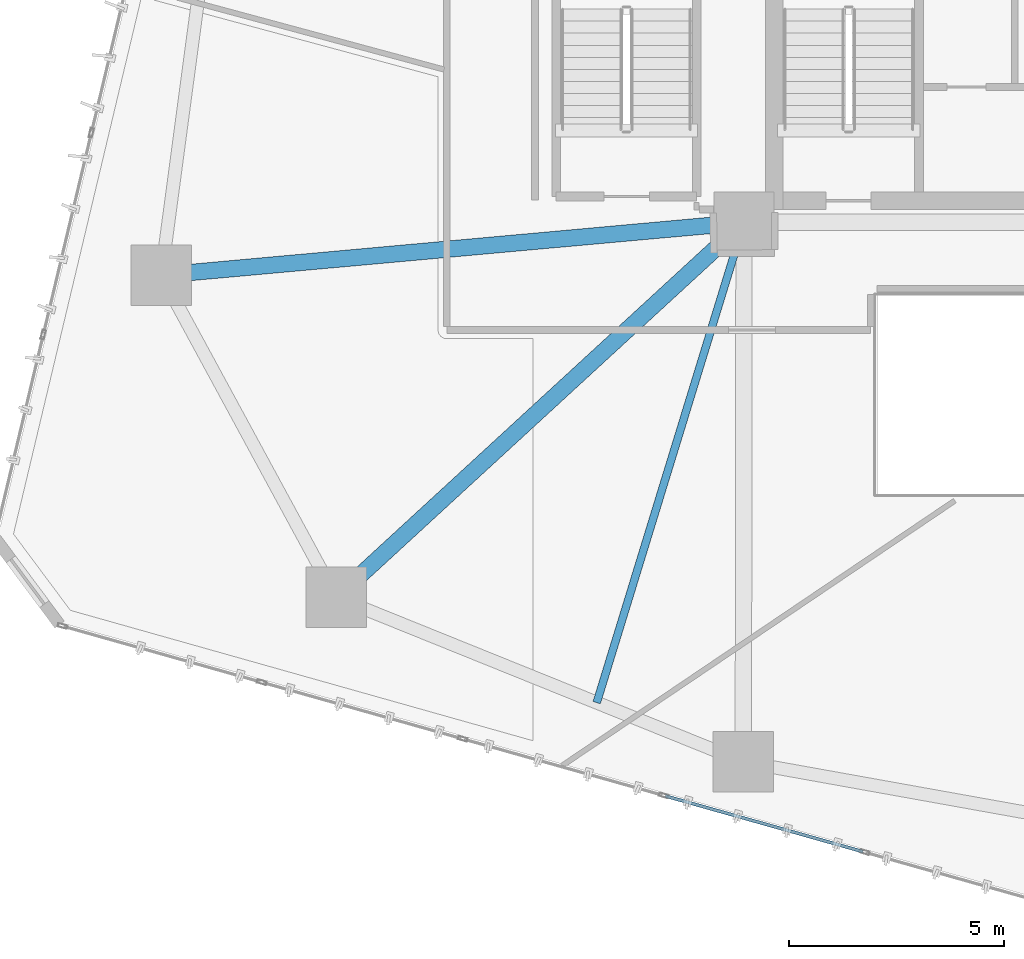
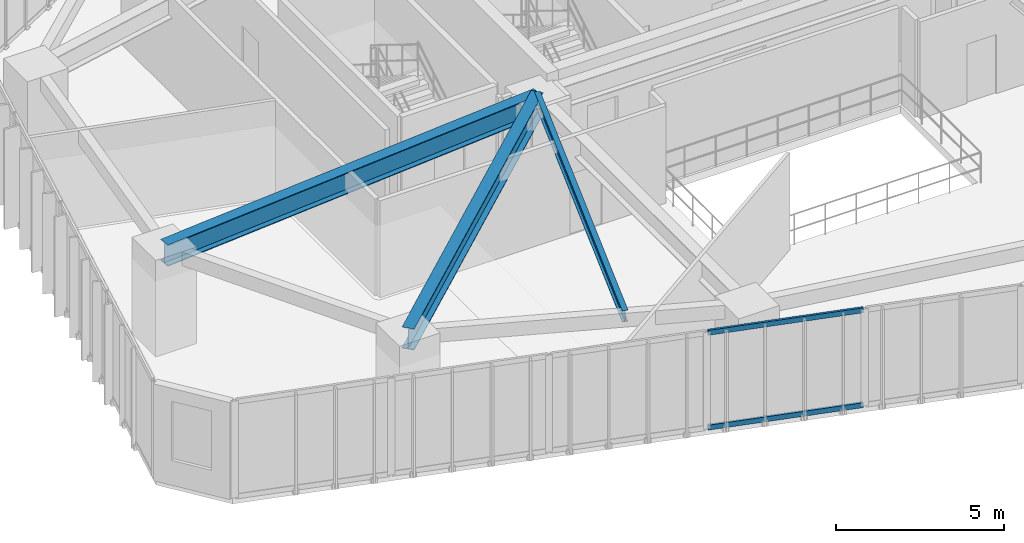
# One storey, part 4 of 24: 3 beams, 2 members, 1 element without a shape of its own.
"""IFC4 building model written with IfcOpenShell, lengths in metres."""

from ifc_helpers import new_model, si_unit, direction, frame, origin, origin_2d, place, context, subcontext, project, spatial, hollow_rectangle, i_section, extrude, source, transform, mapped, material, layer, layer_set, material_profile, profile_set, type_object, type_shapes, element, aggregate, save


model = new_model("IFC4")

# Units and contexts
model_context = context("Model", 3, precision=1e-05, world=origin(), true_north=direction((0.0, 1.0)))
body_context = subcontext(model_context, "Body", "Model", "MODEL_VIEW")
ifc_project = project(units=[si_unit("LENGTHUNIT", "METRE"), si_unit("AREAUNIT", "SQUARE_METRE"), si_unit("VOLUMEUNIT", "CUBIC_METRE"), si_unit("PLANEANGLEUNIT", "RADIAN"), si_unit("MASSUNIT", "GRAM", prefix="KILO")], contexts=[model_context])

# Site, building, storey
site_placement = place(None, origin())
site = spatial("IfcSite", under=ifc_project, at=site_placement, CompositionType="ELEMENT")
building_placement = place(site_placement, origin())
building = spatial("IfcBuilding", under=site, at=building_placement, Name="Talar Marvaseh", CompositionType="ELEMENT")
storey_placement = place(building_placement, frame((0.0, 0.0, 43.0)))
storey = spatial("IfcBuildingStorey", under=building, at=storey_placement, Name="L10", CompositionType="ELEMENT", Elevation=43.0)

# Beams
ifc_material_1 = material(Name="Steel S355", Category="steel")
ifc_material_profile_1 = material_profile(ifc_material_1, i_section(OverallWidth=0.381103515625, OverallDepth=0.77294921875, WebThickness=0.0166015625, FlangeThickness=0.027099609375, at=origin_2d()), Name="W760x257")
ifc_profile_set_1 = profile_set([ifc_material_profile_1], Name="Steel S355")
beam_type_1 = type_object("IfcBeamType", Name="Zone 1 Radial Floor Girder W760x257", PredefinedType="BEAM", material=ifc_profile_set_1)
beam_1_placement = place(storey_placement, frame((9.23193359375, 16.7958984375, 3.133544921875), z_axis=(0.736181804049, 0.676783829142, 0.0), x_axis=(-0.676783829142, 0.736181804049, 0.0)))
element("IfcBeam", 1, at=beam_1_placement, inside=storey, type_object=beam_type_1, Name="L10 Zone 1 Radial Floor Girder W760x257", PredefinedType="BEAM", context=body_context, shape_type="SweptSolid", body=[
    extrude(i_section(OverallWidth=0.381103515625, OverallDepth=0.77294921875, WebThickness=0.0166015625, FlangeThickness=0.027099609375, at=origin_2d()), origin(), (0.0, 0.0, 1.0), 12.861083984375),
])
beam_2_placement = place(storey_placement, frame((5.175048828125, 24.27587890625, 3.133544921875), z_axis=(0.995929083348, 0.090140229321, 0.0), x_axis=(-0.090140229321, 0.995929083348, 0.0)))
element("IfcBeam", 2, at=beam_2_placement, inside=storey, type_object=beam_type_1, Name="L10 Zone 1 Radial Floor Girder W760x257", PredefinedType="BEAM", context=body_context, shape_type="SweptSolid", body=[
    extrude(i_section(OverallWidth=0.381103515625, OverallDepth=0.77294921875, WebThickness=0.0166015625, FlangeThickness=0.027099609375, at=origin_2d()), origin(), (0.0, 0.0, 1.0), 13.580078125),
])
ifc_material_profile_2 = material_profile(ifc_material_1, i_section(OverallWidth=0.179931640625, OverallDepth=0.4130859375, WebThickness=0.009765625, FlangeThickness=0.01611328125, at=origin_2d()), Name="W410x75")
ifc_profile_set_2 = profile_set([ifc_material_profile_2], Name="Steel S355")
beam_type_2 = type_object("IfcBeamType", Name="Zone 1 Secondary Floor Joist W410x75", PredefinedType="JOIST", material=ifc_profile_set_2)
beam_3_placement = place(storey_placement, frame((15.280517578125, 14.35302734375, 3.3134765625), z_axis=(0.293270595159, 0.956029475495, 0.0), x_axis=(-0.956029475495, 0.293270595159, 0.0)))
element("IfcBeam", 3, at=beam_3_placement, inside=storey, type_object=beam_type_2, Name="L10 Zone 1 Secondary Floor Joist W410x75", PredefinedType="JOIST", context=body_context, shape_type="SweptSolid", body=[
    extrude(i_section(OverallWidth=0.179931640625, OverallDepth=0.4130859375, WebThickness=0.009765625, FlangeThickness=0.01611328125, at=origin_2d()), origin(), (0.0, 0.0, 1.0), 11.65966796875),
])

# Curtain wall, members
ifc_material_2 = material(Name="Architectural Aluminium", Category="aluminium")
ifc_layer = layer(ifc_material_2, 0.219970703125)
ifc_layer_set = layer_set([ifc_layer], Name="Architectural Aluminium")
curtain_wall_type = type_object("IfcCurtainWallType", Name="Unitised Low-E Museum Curtain Wall Z1", PredefinedType="NOTDEFINED", material=ifc_layer_set)
curtain_wall_placement = place(storey_placement, origin())
curtain_wall = element("IfcCurtainWall", 4, at=curtain_wall_placement, inside=storey, type_object=curtain_wall_type, Name="L10 Unitised Low-E Museum Curtain Wall Z1", PredefinedType="NOTDEFINED")
ifc_material_profile_3 = material_profile(ifc_material_2, hollow_rectangle(XDim=0.074951171875, YDim=0.179931640625, WallThickness=0.0048828125, at=origin_2d()), Name="RHS180x75x5")
ifc_profile_set_3 = profile_set([ifc_material_profile_3], Name="Architectural Aluminium")
member_type = type_object("IfcMemberType", Name="Unitised Curtain Wall Transom RHS180x75x5", PredefinedType="USERDEFINED", material=ifc_profile_set_3)
shared_shape = source(origin(), body_context, "Body", "SweptSolid", [
    extrude(hollow_rectangle(XDim=0.074951171875, YDim=0.179931640625, WallThickness=0.0048828125, at=origin_2d()), origin(), (0.0, 0.0, 1.0), 4.765380859375),
])
type_shapes(member_type, [shared_shape])
member_1_placement = place(storey_placement, frame((21.46044921875, 10.894775390625, 0.03759765625), z_axis=(-0.962488448688, 0.271322660577, 0.0), x_axis=(-0.271322660577, -0.962488448688, 0.0)))
member_1 = element("IfcMember", 5, at=member_1_placement, type_object=member_type, Name="CW-Z1 transom 2.1", ObjectType="TRANSOM", PredefinedType="USERDEFINED", context=body_context, shape_type="MappedRepresentation", body=[
    mapped(shared_shape, transform((0.0, 0.0, 0.0), x_axis=(1.0, 0.0, 0.0), y_axis=(0.0, 1.0, 0.0), z_axis=(0.0, 0.0, 1.0), scale=1.0)),
])
member_2_placement = place(storey_placement, frame((21.46044921875, 10.894775390625, 3.482421875), z_axis=(-0.962488448688, 0.271322660577, 0.0), x_axis=(-0.271322660577, -0.962488448688, 0.0)))
member_2 = element("IfcMember", 6, at=member_2_placement, type_object=member_type, Name="CW-Z1 transom 2.2", ObjectType="TRANSOM", PredefinedType="USERDEFINED", context=body_context, shape_type="MappedRepresentation", body=[
    mapped(shared_shape, transform((0.0, 0.0, 0.0), x_axis=(1.0, 0.0, 0.0), y_axis=(0.0, 1.0, 0.0), z_axis=(0.0, 0.0, 1.0), scale=1.0)),
])
aggregate(curtain_wall, [member_1, member_2])

save(model, "model.ifc")
